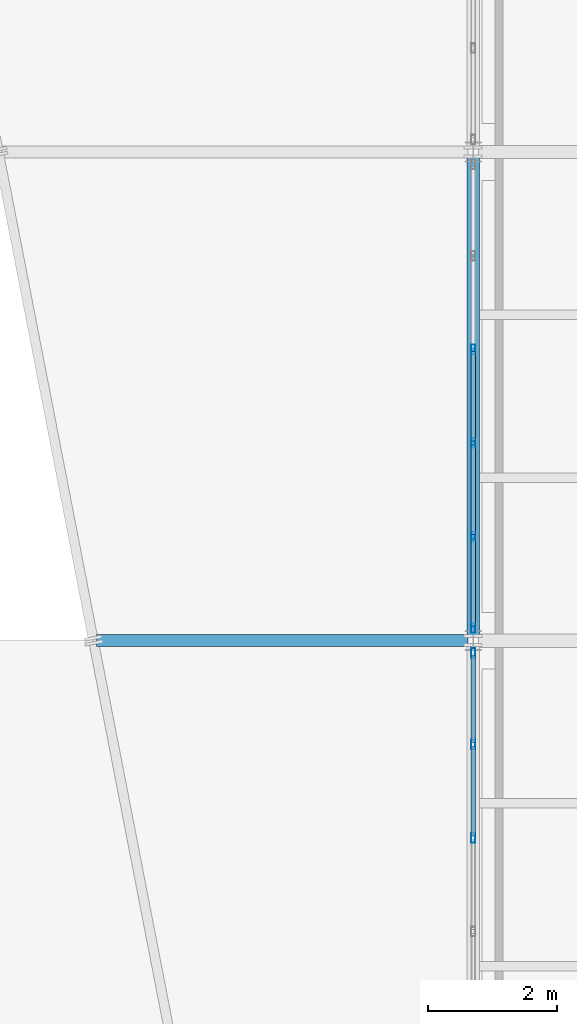
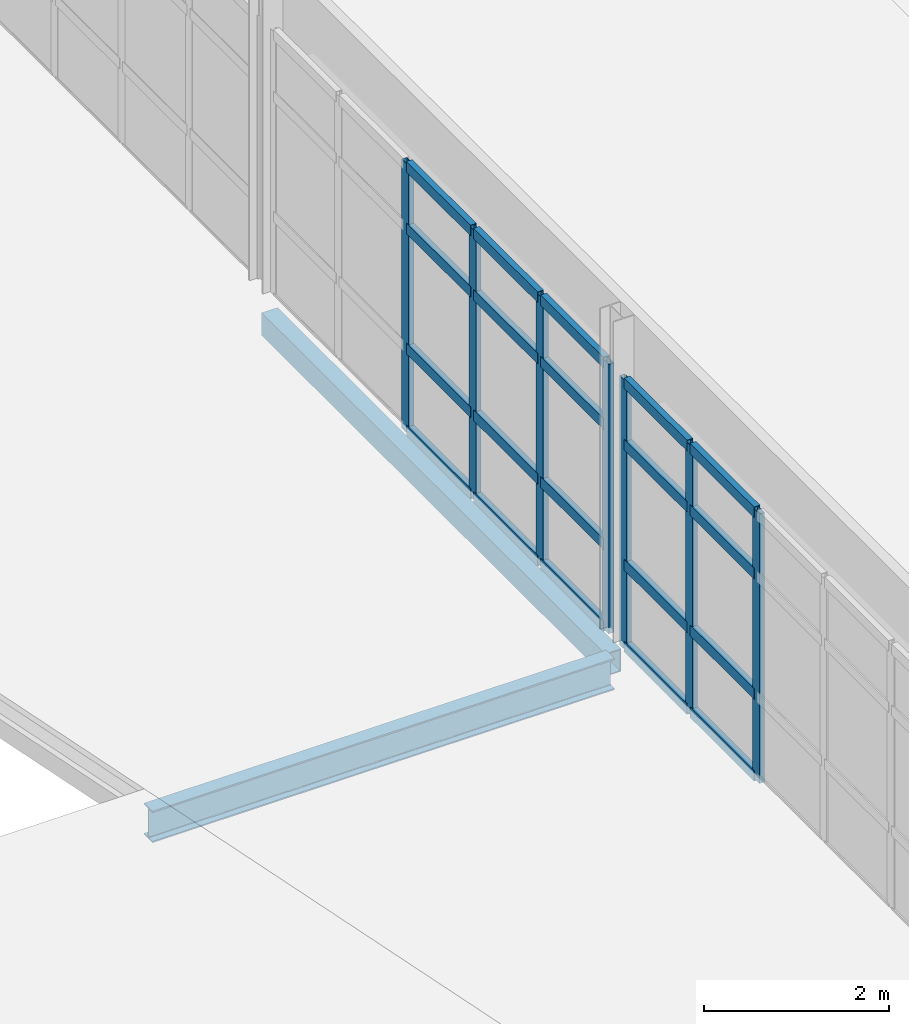
# One storey, part 45 of 96: 27 members, 2 beams, 2 elements without a shape of their own.
"""IFC4 building model written with IfcOpenShell, lengths in metres."""

from ifc_helpers import new_model, si_unit, direction, frame, origin, origin_2d, place, context, subcontext, project, spatial, hollow_rectangle, i_section, extrude, material, material_profile, profile_set, type_object, element, aggregate, save


model = new_model("IFC4")

# Units and contexts
model_context = context("Model", 3, precision=1e-05, world=origin(), true_north=direction((0.0, 1.0)))
body_context = subcontext(model_context, "Body", "Model", "MODEL_VIEW")
ifc_project = project(units=[si_unit("LENGTHUNIT", "METRE"), si_unit("AREAUNIT", "SQUARE_METRE"), si_unit("VOLUMEUNIT", "CUBIC_METRE"), si_unit("PLANEANGLEUNIT", "RADIAN"), si_unit("MASSUNIT", "GRAM", prefix="KILO")], contexts=[model_context])

# Site, building, storey
site_placement = place(None, origin())
site = spatial("IfcSite", under=ifc_project, at=site_placement, CompositionType="ELEMENT")
building_placement = place(site_placement, origin())
building = spatial("IfcBuilding", under=site, at=building_placement, Name="Caisbarro Railhouse Central Library", CompositionType="ELEMENT")
storey_placement = place(building_placement, frame((0.0, 0.0, 13.679931640625)))
storey = spatial("IfcBuildingStorey", under=building, at=storey_placement, Name="L03", CompositionType="ELEMENT", Elevation=13.679931640625)

# Beams
ifc_material_1 = material(Name="Steel ASTM A572 Grade 50", Category="steel")
ifc_material_profile_1 = material_profile(ifc_material_1, i_section(OverallWidth=0.180908203125, OverallDepth=0.4169921875, WebThickness=0.010986328125, FlangeThickness=0.018310546875, FilletRadius=0.01611328125, at=origin_2d()), Name="W410X85.0")
ifc_profile_set_1 = profile_set([ifc_material_profile_1], Name="Steel ASTM A572 Grade 50")
beam_type_1 = type_object("IfcBeamType", Name="BM-G09", PredefinedType="BEAM", material=ifc_profile_set_1)
beam_1_placement = place(storey_placement, frame((111.14111328125, 91.199951171875, -0.388427734375), z_axis=(1.0, 0.0, 0.0), x_axis=(0.0, 1.0, 0.0)))
element("IfcBeam", 1, at=beam_1_placement, inside=storey, type_object=beam_type_1, Name="G09 beam L03 #2432", PredefinedType="BEAM", context=body_context, shape_type="SweptSolid", body=[
    extrude(i_section(OverallWidth=0.180908203125, OverallDepth=0.4169921875, WebThickness=0.010986328125, FlangeThickness=0.018310546875, FilletRadius=0.01611328125, at=origin_2d()), origin(), (0.0, 0.0, 1.0), 5.77880859375),
])
ifc_material_profile_2 = material_profile(ifc_material_1, hollow_rectangle(XDim=0.199951171875, YDim=0.300048828125, WallThickness=0.012451171875, at=origin_2d()), Name="HSS300X200X12.5")
ifc_profile_set_2 = profile_set([ifc_material_profile_2], Name="Steel ASTM A572 Grade 50")
beam_type_2 = type_object("IfcBeamType", Name="BM-SP02", PredefinedType="SPANDREL", material=ifc_profile_set_2)
beam_2_placement = place(storey_placement, frame((117.0, 91.280029296875, -0.369873046875), z_axis=(0.0, 1.0, 0.0), x_axis=(-1.0, 0.0, 0.0)))
element("IfcBeam", 2, at=beam_2_placement, inside=storey, type_object=beam_type_2, Name="SP02 beam L03 #1884", PredefinedType="SPANDREL", context=body_context, shape_type="SweptSolid", body=[
    extrude(hollow_rectangle(XDim=0.199951171875, YDim=0.300048828125, WallThickness=0.012451171875, at=origin_2d()), origin(), (0.0, 0.0, 1.0), 7.43994140625),
])

# Curtain wall, members
ifc_material_2 = material(Name="Anodised architectural aluminium", Category="aluminium")
curtain_wall_type = type_object("IfcCurtainWallType", Name="CW-CW02", PredefinedType="NOTDEFINED", material=ifc_material_2)
curtain_wall_1_placement = place(storey_placement, origin())
curtain_wall_1 = element("IfcCurtainWall", 3, at=curtain_wall_1_placement, inside=storey, type_object=curtain_wall_type, Name="CW02 curtain wall L03 #144", PredefinedType="NOTDEFINED")
ifc_material_profile_3 = material_profile(ifc_material_2, hollow_rectangle(XDim=0.06494140625, YDim=0.14990234375, WallThickness=0.00390625, at=origin_2d()), Name="ALU-MUL-65X150")
ifc_profile_set_3 = profile_set([ifc_material_profile_3], Name="Anodised architectural aluminium")
member_type_1 = type_object("IfcMemberType", Name="CWM-M02", PredefinedType="MULLION", material=ifc_profile_set_3)
member_1_placement = place(storey_placement, frame((117.0, 88.1279296875, 0.0), z_axis=(0.0, 0.0, 1.0), x_axis=(-1.0, 0.0, 0.0)))
member_1 = element("IfcMember", 4, at=member_1_placement, type_object=member_type_1, Name="CW02 mullion 4", PredefinedType="MULLION", context=body_context, shape_type="SweptSolid", body=[
    extrude(hollow_rectangle(XDim=0.06494140625, YDim=0.14990234375, WallThickness=0.00390625, at=origin_2d()), origin(), (0.0, 0.0, 1.0), 3.56005859375),
])
member_2_placement = place(storey_placement, frame((117.0, 89.583984375, 0.0), z_axis=(0.0, 0.0, 1.0), x_axis=(-1.0, 0.0, 0.0)))
member_2 = element("IfcMember", 5, at=member_2_placement, type_object=member_type_1, Name="CW02 mullion 5", PredefinedType="MULLION", context=body_context, shape_type="SweptSolid", body=[
    extrude(hollow_rectangle(XDim=0.06494140625, YDim=0.14990234375, WallThickness=0.00390625, at=origin_2d()), origin(), (0.0, 0.0, 1.0), 3.56005859375),
])
member_3_placement = place(storey_placement, frame((117.0, 91.007568359375, 0.0), z_axis=(0.0, 0.0, 1.0), x_axis=(-1.0, 0.0, 0.0)))
member_3 = element("IfcMember", 6, at=member_3_placement, type_object=member_type_1, Name="CW02 mullion 6", PredefinedType="MULLION", context=body_context, shape_type="SweptSolid", body=[
    extrude(hollow_rectangle(XDim=0.06494140625, YDim=0.14990234375, WallThickness=0.00390625, at=origin_2d()), origin(), (0.0, 0.0, 1.0), 3.56005859375),
])

curtain_wall_2_placement = place(storey_placement, origin())
curtain_wall_2 = element("IfcCurtainWall", 7, at=curtain_wall_2_placement, inside=storey, type_object=curtain_wall_type, Name="CW02 curtain wall L03 #145", PredefinedType="NOTDEFINED")
member_4_placement = place(storey_placement, frame((117.0, 91.392578125, 0.0), z_axis=(0.0, 0.0, 1.0), x_axis=(-1.0, 0.0, 0.0)))
member_4 = element("IfcMember", 8, at=member_4_placement, type_object=member_type_1, Name="CW02 mullion 1", PredefinedType="MULLION", context=body_context, shape_type="SweptSolid", body=[
    extrude(hollow_rectangle(XDim=0.06494140625, YDim=0.14990234375, WallThickness=0.00390625, at=origin_2d()), origin(), (0.0, 0.0, 1.0), 3.56005859375),
])
member_5_placement = place(storey_placement, frame((117.0, 92.81591796875, 0.0), z_axis=(0.0, 0.0, 1.0), x_axis=(-1.0, 0.0, 0.0)))
member_5 = element("IfcMember", 9, at=member_5_placement, type_object=member_type_1, Name="CW02 mullion 2", PredefinedType="MULLION", context=body_context, shape_type="SweptSolid", body=[
    extrude(hollow_rectangle(XDim=0.06494140625, YDim=0.14990234375, WallThickness=0.00390625, at=origin_2d()), origin(), (0.0, 0.0, 1.0), 3.56005859375),
])
member_6_placement = place(storey_placement, frame((117.0, 94.27197265625, 0.0), z_axis=(0.0, 0.0, 1.0), x_axis=(-1.0, 0.0, 0.0)))
member_6 = element("IfcMember", 10, at=member_6_placement, type_object=member_type_1, Name="CW02 mullion 3", PredefinedType="MULLION", context=body_context, shape_type="SweptSolid", body=[
    extrude(hollow_rectangle(XDim=0.06494140625, YDim=0.14990234375, WallThickness=0.00390625, at=origin_2d()), origin(), (0.0, 0.0, 1.0), 3.56005859375),
])
member_7_placement = place(storey_placement, frame((117.0, 95.72802734375, 0.0), z_axis=(0.0, 0.0, 1.0), x_axis=(-1.0, 0.0, 0.0)))
member_7 = element("IfcMember", 11, at=member_7_placement, type_object=member_type_1, Name="CW02 mullion 4", PredefinedType="MULLION", context=body_context, shape_type="SweptSolid", body=[
    extrude(hollow_rectangle(XDim=0.06494140625, YDim=0.14990234375, WallThickness=0.00390625, at=origin_2d()), origin(), (0.0, 0.0, 1.0), 3.56005859375),
])

# Member
ifc_material_profile_4 = material_profile(ifc_material_2, hollow_rectangle(XDim=0.074951171875, YDim=0.139892578125, WallThickness=0.00390625, at=origin_2d()), Name="ALU-TRN-75X140")
ifc_profile_set_4 = profile_set([ifc_material_profile_4], Name="Anodised architectural aluminium")
member_type_2 = type_object("IfcMemberType", Name="CWT-T01", PredefinedType="USERDEFINED", material=ifc_profile_set_4)
member_8_placement = place(storey_placement, frame((117.0, 88.160400390625, 0.03759765625), z_axis=(0.0, 1.0, 0.0), x_axis=(-1.0, 0.0, 0.0)))
member_8 = element("IfcMember", 12, at=member_8_placement, type_object=member_type_2, Name="CW02 transom 4.1", ObjectType="TRANSOM", PredefinedType="USERDEFINED", context=body_context, shape_type="SweptSolid", body=[
    extrude(hollow_rectangle(XDim=0.074951171875, YDim=0.139892578125, WallThickness=0.00390625, at=origin_2d()), origin(), (0.0, 0.0, 1.0), 1.39111328125),
])

member_9_placement = place(storey_placement, frame((117.0, 88.160400390625, 1.1201171875), z_axis=(0.0, 1.0, 0.0), x_axis=(-1.0, 0.0, 0.0)))
member_9 = element("IfcMember", 13, at=member_9_placement, type_object=member_type_2, Name="CW02 transom 4.2", ObjectType="TRANSOM", PredefinedType="USERDEFINED", context=body_context, shape_type="SweptSolid", body=[
    extrude(hollow_rectangle(XDim=0.074951171875, YDim=0.139892578125, WallThickness=0.00390625, at=origin_2d()), origin(), (0.0, 0.0, 1.0), 1.39111328125),
])

member_10_placement = place(storey_placement, frame((117.0, 88.160400390625, 2.7099609375), z_axis=(0.0, 1.0, 0.0), x_axis=(-1.0, 0.0, 0.0)))
member_10 = element("IfcMember", 14, at=member_10_placement, type_object=member_type_2, Name="CW02 transom 4.3", ObjectType="TRANSOM", PredefinedType="USERDEFINED", context=body_context, shape_type="SweptSolid", body=[
    extrude(hollow_rectangle(XDim=0.074951171875, YDim=0.139892578125, WallThickness=0.00390625, at=origin_2d()), origin(), (0.0, 0.0, 1.0), 1.39111328125),
])

member_11_placement = place(storey_placement, frame((117.0, 88.160400390625, 3.5224609375), z_axis=(0.0, 1.0, 0.0), x_axis=(-1.0, 0.0, 0.0)))
member_11 = element("IfcMember", 15, at=member_11_placement, type_object=member_type_2, Name="CW02 transom 4.4", ObjectType="TRANSOM", PredefinedType="USERDEFINED", context=body_context, shape_type="SweptSolid", body=[
    extrude(hollow_rectangle(XDim=0.074951171875, YDim=0.139892578125, WallThickness=0.00390625, at=origin_2d()), origin(), (0.0, 0.0, 1.0), 1.39111328125),
])

member_12_placement = place(storey_placement, frame((117.0, 89.616455078125, 0.03759765625), z_axis=(0.0, 1.0, 0.0), x_axis=(-1.0, 0.0, 0.0)))
member_12 = element("IfcMember", 16, at=member_12_placement, type_object=member_type_2, Name="CW02 transom 5.1", ObjectType="TRANSOM", PredefinedType="USERDEFINED", context=body_context, shape_type="SweptSolid", body=[
    extrude(hollow_rectangle(XDim=0.074951171875, YDim=0.139892578125, WallThickness=0.00390625, at=origin_2d()), origin(), (0.0, 0.0, 1.0), 1.358642578125),
])

member_13_placement = place(storey_placement, frame((117.0, 89.616455078125, 1.1201171875), z_axis=(0.0, 1.0, 0.0), x_axis=(-1.0, 0.0, 0.0)))
member_13 = element("IfcMember", 17, at=member_13_placement, type_object=member_type_2, Name="CW02 transom 5.2", ObjectType="TRANSOM", PredefinedType="USERDEFINED", context=body_context, shape_type="SweptSolid", body=[
    extrude(hollow_rectangle(XDim=0.074951171875, YDim=0.139892578125, WallThickness=0.00390625, at=origin_2d()), origin(), (0.0, 0.0, 1.0), 1.358642578125),
])

member_14_placement = place(storey_placement, frame((117.0, 89.616455078125, 2.7099609375), z_axis=(0.0, 1.0, 0.0), x_axis=(-1.0, 0.0, 0.0)))
member_14 = element("IfcMember", 18, at=member_14_placement, type_object=member_type_2, Name="CW02 transom 5.3", ObjectType="TRANSOM", PredefinedType="USERDEFINED", context=body_context, shape_type="SweptSolid", body=[
    extrude(hollow_rectangle(XDim=0.074951171875, YDim=0.139892578125, WallThickness=0.00390625, at=origin_2d()), origin(), (0.0, 0.0, 1.0), 1.358642578125),
])

member_15_placement = place(storey_placement, frame((117.0, 89.616455078125, 3.5224609375), z_axis=(0.0, 1.0, 0.0), x_axis=(-1.0, 0.0, 0.0)))
member_15 = element("IfcMember", 19, at=member_15_placement, type_object=member_type_2, Name="CW02 transom 5.4", ObjectType="TRANSOM", PredefinedType="USERDEFINED", context=body_context, shape_type="SweptSolid", body=[
    extrude(hollow_rectangle(XDim=0.074951171875, YDim=0.139892578125, WallThickness=0.00390625, at=origin_2d()), origin(), (0.0, 0.0, 1.0), 1.358642578125),
])

aggregate(curtain_wall_1, [member_1, member_2, member_3, member_8, member_9, member_10, member_11, member_12, member_13, member_14, member_15])

member_16_placement = place(storey_placement, frame((117.0, 91.425048828125, 0.03759765625), z_axis=(0.0, 1.0, 0.0), x_axis=(-1.0, 0.0, 0.0)))
member_16 = element("IfcMember", 20, at=member_16_placement, type_object=member_type_2, Name="CW02 transom 1.1", ObjectType="TRANSOM", PredefinedType="USERDEFINED", context=body_context, shape_type="SweptSolid", body=[
    extrude(hollow_rectangle(XDim=0.074951171875, YDim=0.139892578125, WallThickness=0.00390625, at=origin_2d()), origin(), (0.0, 0.0, 1.0), 1.3583984375),
])

member_17_placement = place(storey_placement, frame((117.0, 91.425048828125, 1.1201171875), z_axis=(0.0, 1.0, 0.0), x_axis=(-1.0, 0.0, 0.0)))
member_17 = element("IfcMember", 21, at=member_17_placement, type_object=member_type_2, Name="CW02 transom 1.2", ObjectType="TRANSOM", PredefinedType="USERDEFINED", context=body_context, shape_type="SweptSolid", body=[
    extrude(hollow_rectangle(XDim=0.074951171875, YDim=0.139892578125, WallThickness=0.00390625, at=origin_2d()), origin(), (0.0, 0.0, 1.0), 1.3583984375),
])

member_18_placement = place(storey_placement, frame((117.0, 91.425048828125, 2.7099609375), z_axis=(0.0, 1.0, 0.0), x_axis=(-1.0, 0.0, 0.0)))
member_18 = element("IfcMember", 22, at=member_18_placement, type_object=member_type_2, Name="CW02 transom 1.3", ObjectType="TRANSOM", PredefinedType="USERDEFINED", context=body_context, shape_type="SweptSolid", body=[
    extrude(hollow_rectangle(XDim=0.074951171875, YDim=0.139892578125, WallThickness=0.00390625, at=origin_2d()), origin(), (0.0, 0.0, 1.0), 1.3583984375),
])

member_19_placement = place(storey_placement, frame((117.0, 91.425048828125, 3.5224609375), z_axis=(0.0, 1.0, 0.0), x_axis=(-1.0, 0.0, 0.0)))
member_19 = element("IfcMember", 23, at=member_19_placement, type_object=member_type_2, Name="CW02 transom 1.4", ObjectType="TRANSOM", PredefinedType="USERDEFINED", context=body_context, shape_type="SweptSolid", body=[
    extrude(hollow_rectangle(XDim=0.074951171875, YDim=0.139892578125, WallThickness=0.00390625, at=origin_2d()), origin(), (0.0, 0.0, 1.0), 1.3583984375),
])

member_20_placement = place(storey_placement, frame((117.0, 92.848388671875, 0.03759765625), z_axis=(0.0, 1.0, 0.0), x_axis=(-1.0, 0.0, 0.0)))
member_20 = element("IfcMember", 24, at=member_20_placement, type_object=member_type_2, Name="CW02 transom 2.1", ObjectType="TRANSOM", PredefinedType="USERDEFINED", context=body_context, shape_type="SweptSolid", body=[
    extrude(hollow_rectangle(XDim=0.074951171875, YDim=0.139892578125, WallThickness=0.00390625, at=origin_2d()), origin(), (0.0, 0.0, 1.0), 1.39111328125),
])

member_21_placement = place(storey_placement, frame((117.0, 92.848388671875, 1.1201171875), z_axis=(0.0, 1.0, 0.0), x_axis=(-1.0, 0.0, 0.0)))
member_21 = element("IfcMember", 25, at=member_21_placement, type_object=member_type_2, Name="CW02 transom 2.2", ObjectType="TRANSOM", PredefinedType="USERDEFINED", context=body_context, shape_type="SweptSolid", body=[
    extrude(hollow_rectangle(XDim=0.074951171875, YDim=0.139892578125, WallThickness=0.00390625, at=origin_2d()), origin(), (0.0, 0.0, 1.0), 1.39111328125),
])

member_22_placement = place(storey_placement, frame((117.0, 92.848388671875, 2.7099609375), z_axis=(0.0, 1.0, 0.0), x_axis=(-1.0, 0.0, 0.0)))
member_22 = element("IfcMember", 26, at=member_22_placement, type_object=member_type_2, Name="CW02 transom 2.3", ObjectType="TRANSOM", PredefinedType="USERDEFINED", context=body_context, shape_type="SweptSolid", body=[
    extrude(hollow_rectangle(XDim=0.074951171875, YDim=0.139892578125, WallThickness=0.00390625, at=origin_2d()), origin(), (0.0, 0.0, 1.0), 1.39111328125),
])

member_23_placement = place(storey_placement, frame((117.0, 92.848388671875, 3.5224609375), z_axis=(0.0, 1.0, 0.0), x_axis=(-1.0, 0.0, 0.0)))
member_23 = element("IfcMember", 27, at=member_23_placement, type_object=member_type_2, Name="CW02 transom 2.4", ObjectType="TRANSOM", PredefinedType="USERDEFINED", context=body_context, shape_type="SweptSolid", body=[
    extrude(hollow_rectangle(XDim=0.074951171875, YDim=0.139892578125, WallThickness=0.00390625, at=origin_2d()), origin(), (0.0, 0.0, 1.0), 1.39111328125),
])

member_24_placement = place(storey_placement, frame((117.0, 94.304443359375, 0.03759765625), z_axis=(0.0, 1.0, 0.0), x_axis=(-1.0, 0.0, 0.0)))
member_24 = element("IfcMember", 28, at=member_24_placement, type_object=member_type_2, Name="CW02 transom 3.1", ObjectType="TRANSOM", PredefinedType="USERDEFINED", context=body_context, shape_type="SweptSolid", body=[
    extrude(hollow_rectangle(XDim=0.074951171875, YDim=0.139892578125, WallThickness=0.00390625, at=origin_2d()), origin(), (0.0, 0.0, 1.0), 1.39111328125),
])

member_25_placement = place(storey_placement, frame((117.0, 94.304443359375, 1.1201171875), z_axis=(0.0, 1.0, 0.0), x_axis=(-1.0, 0.0, 0.0)))
member_25 = element("IfcMember", 29, at=member_25_placement, type_object=member_type_2, Name="CW02 transom 3.2", ObjectType="TRANSOM", PredefinedType="USERDEFINED", context=body_context, shape_type="SweptSolid", body=[
    extrude(hollow_rectangle(XDim=0.074951171875, YDim=0.139892578125, WallThickness=0.00390625, at=origin_2d()), origin(), (0.0, 0.0, 1.0), 1.39111328125),
])

member_26_placement = place(storey_placement, frame((117.0, 94.304443359375, 2.7099609375), z_axis=(0.0, 1.0, 0.0), x_axis=(-1.0, 0.0, 0.0)))
member_26 = element("IfcMember", 30, at=member_26_placement, type_object=member_type_2, Name="CW02 transom 3.3", ObjectType="TRANSOM", PredefinedType="USERDEFINED", context=body_context, shape_type="SweptSolid", body=[
    extrude(hollow_rectangle(XDim=0.074951171875, YDim=0.139892578125, WallThickness=0.00390625, at=origin_2d()), origin(), (0.0, 0.0, 1.0), 1.39111328125),
])

member_27_placement = place(storey_placement, frame((117.0, 94.304443359375, 3.5224609375), z_axis=(0.0, 1.0, 0.0), x_axis=(-1.0, 0.0, 0.0)))
member_27 = element("IfcMember", 31, at=member_27_placement, type_object=member_type_2, Name="CW02 transom 3.4", ObjectType="TRANSOM", PredefinedType="USERDEFINED", context=body_context, shape_type="SweptSolid", body=[
    extrude(hollow_rectangle(XDim=0.074951171875, YDim=0.139892578125, WallThickness=0.00390625, at=origin_2d()), origin(), (0.0, 0.0, 1.0), 1.39111328125),
])

aggregate(curtain_wall_2, [member_4, member_5, member_6, member_7, member_16, member_17, member_18, member_19, member_20, member_21, member_22, member_23, member_24, member_25, member_26, member_27])

save(model, "model.ifc")
